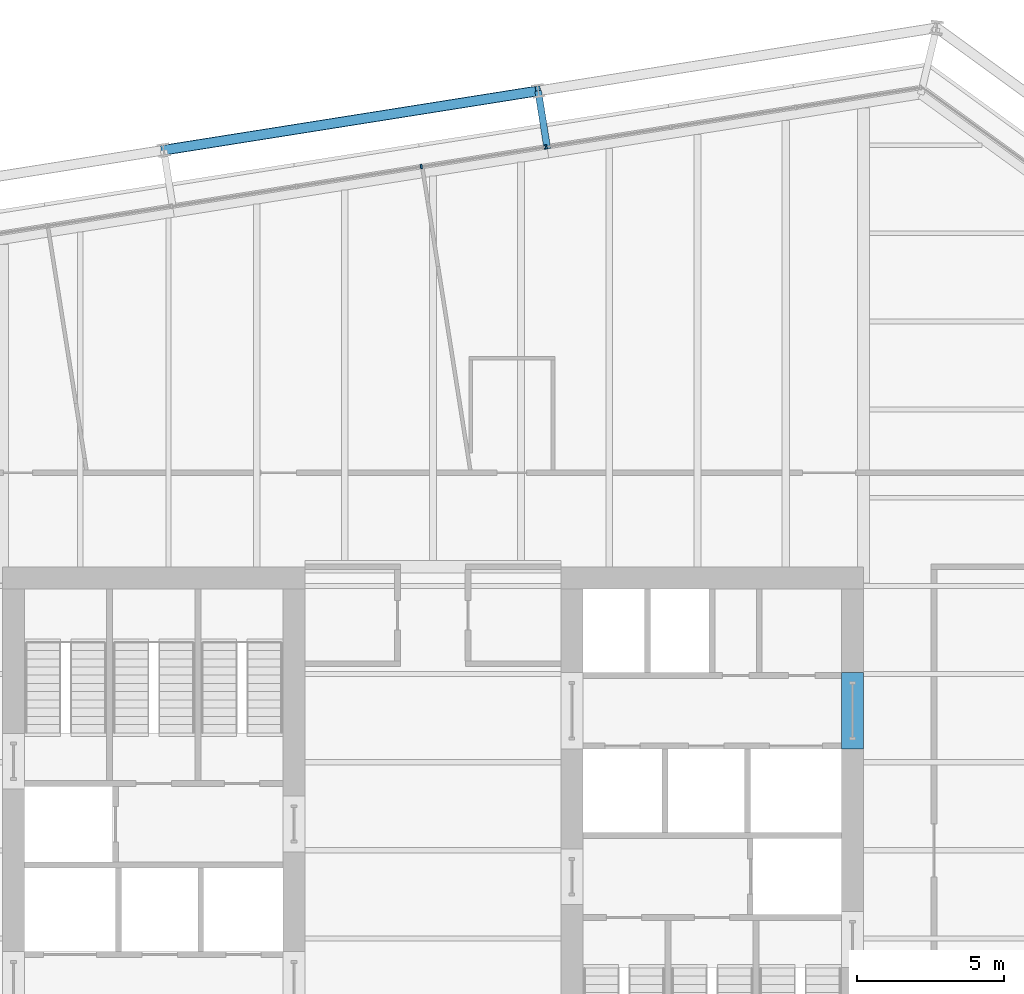
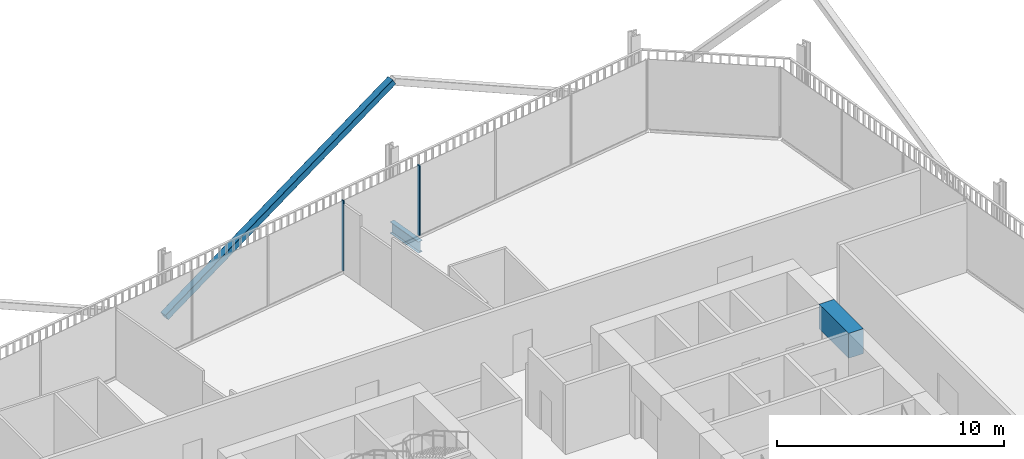
# One storey, part 13 of 22: 3 members, 2 beams, 1 element without a shape of its own.
"""IFC4 building model written with IfcOpenShell, lengths in metres."""

from ifc_helpers import new_model, si_unit, direction, frame, origin, origin_2d, place, context, subcontext, project, spatial, rectangle, hollow_rectangle, i_section, extrude, material, layer, layer_set, material_profile, profile_set, type_object, element, aggregate, save


model = new_model("IFC4")

# Units and contexts
model_context = context("Model", 3, precision=1e-05, world=origin(), true_north=direction((0.0, 1.0)))
body_context = subcontext(model_context, "Body", "Model", "MODEL_VIEW")
ifc_project = project(units=[si_unit("LENGTHUNIT", "METRE"), si_unit("AREAUNIT", "SQUARE_METRE"), si_unit("VOLUMEUNIT", "CUBIC_METRE"), si_unit("PLANEANGLEUNIT", "RADIAN"), si_unit("MASSUNIT", "GRAM", prefix="KILO")], contexts=[model_context])

# Site, building, storey
site_placement = place(None, origin())
site = spatial("IfcSite", under=ifc_project, at=site_placement, CompositionType="ELEMENT")
building_placement = place(site_placement, origin())
building = spatial("IfcBuilding", under=site, at=building_placement, Name="Millrace Tower", CompositionType="ELEMENT")
storey_placement = place(building_placement, frame((0.0, 0.0, 137.300048828125)))
storey = spatial("IfcBuildingStorey", under=building, at=storey_placement, Name="L30", CompositionType="ELEMENT", Elevation=137.300048828125)

# Curtain wall, members
ifc_material_1 = material(Name="Aluminium and glass", Category="aluminium")
ifc_layer = layer(ifc_material_1, 0.14990234375)
ifc_layer_set = layer_set([ifc_layer], Name="Aluminium and glass")
curtain_wall_type = type_object("IfcCurtainWallType", Name="CW-1 office vision curtain wall", PredefinedType="NOTDEFINED", material=ifc_layer_set)
curtain_wall_placement = place(storey_placement, origin())
curtain_wall = element("IfcCurtainWall", 1, at=curtain_wall_placement, inside=storey, type_object=curtain_wall_type, Name="Curtain wall C-F06 L30", PredefinedType="NOTDEFINED")
ifc_material_2 = material(Name="Aluminium", Category="aluminium")
ifc_material_profile_1 = material_profile(ifc_material_2, rectangle(XDim=0.06494140625, YDim=0.14990234375, at=origin_2d()))
ifc_profile_set_1 = profile_set([ifc_material_profile_1], Name="Aluminium")
member_type_1 = type_object("IfcMemberType", Name="CW-1 office vision curtain wall mullion", PredefinedType="MULLION", material=ifc_profile_set_1)
member_1_placement = place(storey_placement, frame((3.8505859375, 23.938720703125, 0.139892578125), z_axis=(0.0, 0.0, 1.0), x_axis=(-0.98768833929, -0.15643447328, 0.0)))
member_1 = element("IfcMember", 2, at=member_1_placement, type_object=member_type_1, Name="CW1 mullion C-F06.4", PredefinedType="MULLION", context=body_context, shape_type="SweptSolid", body=[
    extrude(rectangle(XDim=0.06494140625, YDim=0.14990234375, at=origin_2d()), origin(), (0.0, 0.0, 1.0), 3.760009765625),
])
member_2_placement = place(storey_placement, frame((-0.396484375, 23.26611328125, 0.139892578125), z_axis=(0.0, 0.0, 1.0), x_axis=(-0.98768833929, -0.15643447328, 0.0)))
member_2 = element("IfcMember", 3, at=member_2_placement, type_object=member_type_1, Name="CW1 mullion C-F06.5", PredefinedType="MULLION", context=body_context, shape_type="SweptSolid", body=[
    extrude(rectangle(XDim=0.06494140625, YDim=0.14990234375, at=origin_2d()), origin(), (0.0, 0.0, 1.0), 3.760009765625),
])
aggregate(curtain_wall, [member_1, member_2])

# Beam
ifc_material_3 = material(Name="Concrete C70", Category="concrete")
ifc_material_profile_2 = material_profile(ifc_material_3, rectangle(XDim=0.75, YDim=1.340087890625, at=origin_2d()))
ifc_profile_set_2 = profile_set([ifc_material_profile_2], Name="Concrete C70")
beam_type_1 = type_object("IfcBeamType", Name="Coupling beam 750 x 1340 Concrete C70, 2000 opening", PredefinedType="BEAM", material=ifc_profile_set_2)
beam_1_placement = place(storey_placement, frame((14.27490234375, 6.050048828125, 3.070068359375), z_axis=(0.0, -1.0, 0.0), x_axis=(1.0, 0.0, 0.0)))
element("IfcBeam", 4, at=beam_1_placement, inside=storey, type_object=beam_type_1, Name="Coupling beam E L30", PredefinedType="BEAM", context=body_context, shape_type="SweptSolid", body=[
    extrude(rectangle(XDim=0.75, YDim=1.340087890625, at=origin_2d()), origin(), (0.0, 0.0, 1.0), 2.60009765625),
])

# Member
ifc_material_4 = material(Name="Steel ASTM A500 Grade C", Category="steel")
ifc_material_profile_3 = material_profile(ifc_material_4, hollow_rectangle(XDim=0.355712890625, YDim=0.355712890625, WallThickness=0.015869140625, InnerFilletRadius=0.008056640625, OuterFilletRadius=0.02392578125, at=origin_2d()))
ifc_profile_set_3 = profile_set([ifc_material_profile_3], Name="Steel ASTM A500 Grade C")
member_type_2 = type_object("IfcMemberType", Name="Exoskeleton brace HSS14x14x5/8", PredefinedType="BRACE", material=ifc_profile_set_3)
member_3_placement = place(storey_placement, frame((-9.15966796875, 23.8271484375, 0.39990234375), z_axis=(0.868115902798, 0.137483289964, 0.476941426478), x_axis=(-0.15642030113, 0.987690583834, 0.0)))
element("IfcMember", 5, at=member_3_placement, inside=storey, type_object=member_type_2, Name="BRC-C-L30-11", PredefinedType="BRACE", context=body_context, shape_type="SweptSolid", body=[
    extrude(hollow_rectangle(XDim=0.355712890625, YDim=0.355712890625, WallThickness=0.015869140625, InnerFilletRadius=0.008056640625, OuterFilletRadius=0.02392578125, at=origin_2d()), origin(), (0.0, 0.0, 1.0), 14.6767578125),
])

# Beam
ifc_material_5 = material(Name="Steel ASTM A992 Grade 50", Category="steel")
ifc_material_profile_4 = material_profile(ifc_material_5, i_section(OverallWidth=0.23046875, OverallDepth=0.6171875, WebThickness=0.01318359375, FlangeThickness=0.022216796875, FilletRadius=0.012939453125, at=origin_2d()))
ifc_profile_set_4 = profile_set([ifc_material_profile_4], Name="Steel ASTM A992 Grade 50")
beam_type_2 = type_object("IfcBeamType", Name="Link beam W24x94", PredefinedType="BEAM", material=ifc_profile_set_4)
beam_2_placement = place(storey_placement, frame((3.894287109375, 23.86962890625, -0.46875), z_axis=(-0.15637629034, 0.987697552806, 0.0), x_axis=(-0.987697552806, -0.15637629034, 0.0)))
element("IfcBeam", 6, at=beam_2_placement, inside=storey, type_object=beam_type_2, Name="LNK-C-L30-S1-07", PredefinedType="BEAM", context=body_context, shape_type="SweptSolid", body=[
    extrude(i_section(OverallWidth=0.23046875, OverallDepth=0.6171875, WebThickness=0.01318359375, FlangeThickness=0.022216796875, FilletRadius=0.012939453125, at=origin_2d()), origin(), (0.0, 0.0, 1.0), 2.0),
])

save(model, "model.ifc")
